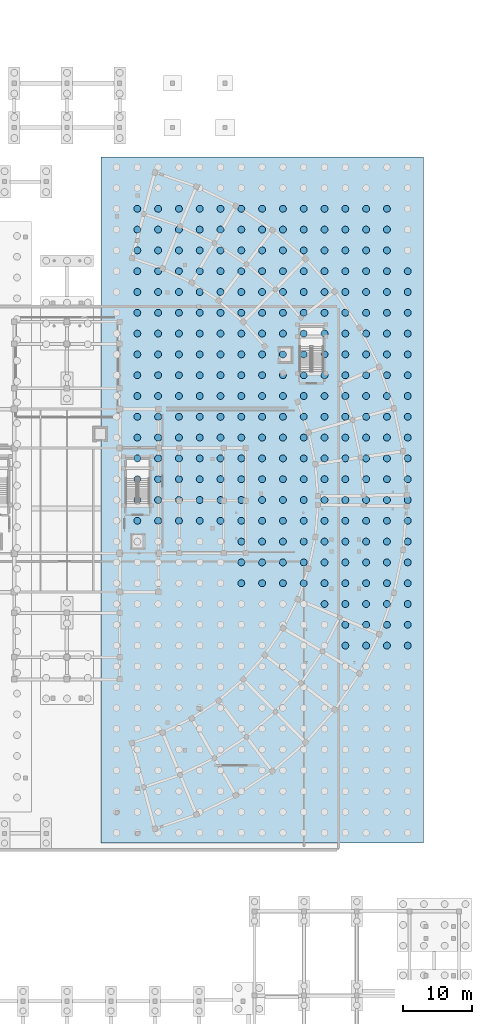
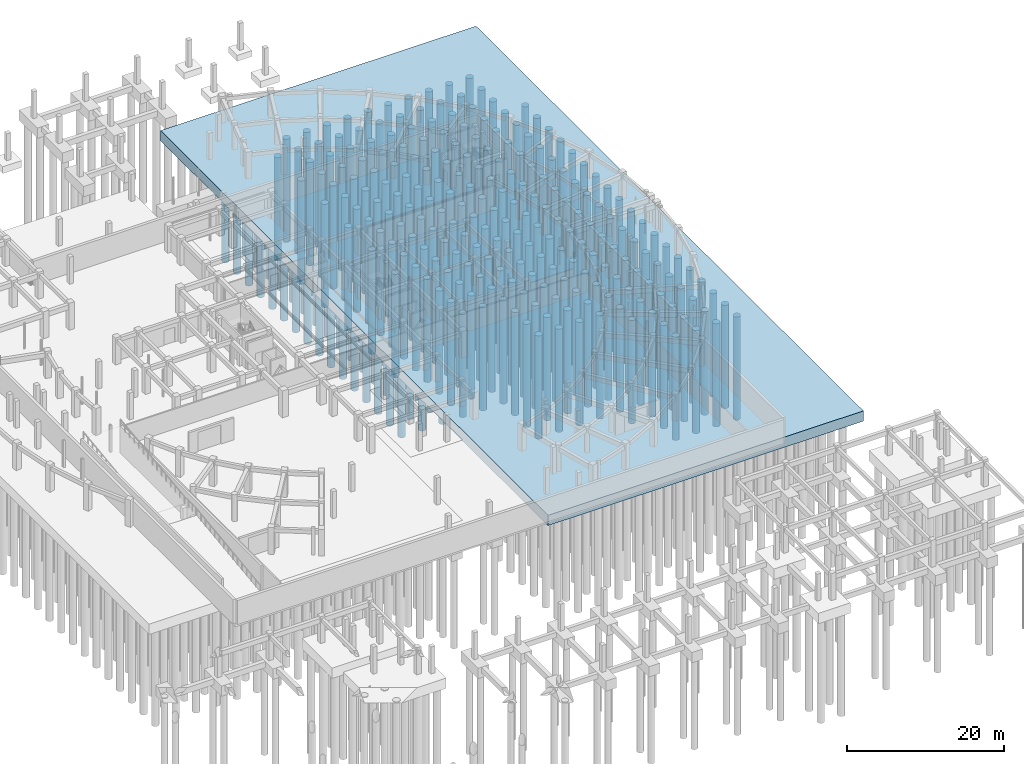
# One storey, part 5 of 33: 261 piles, 1 footing.
"""IFC4 building model written with IfcOpenShell, lengths in metres."""

from ifc_helpers import new_model, si_unit, direction, frame, origin, origin_2d, place, context, subcontext, project, spatial, rectangle, circle, extrude, material, material_profile, profile_set, type_object, element, save


model = new_model("IFC4")

# Units and contexts
model_context = context("Model", 3, precision=1e-05, world=origin(), true_north=direction((0.0, 1.0)))
body_context = subcontext(model_context, "Body", "Model", "MODEL_VIEW")
ifc_project = project(units=[si_unit("LENGTHUNIT", "METRE"), si_unit("AREAUNIT", "SQUARE_METRE"), si_unit("VOLUMEUNIT", "CUBIC_METRE"), si_unit("PLANEANGLEUNIT", "RADIAN"), si_unit("MASSUNIT", "GRAM", prefix="KILO")], contexts=[model_context])

# Site, building, storey
site_placement = place(None, origin())
site = spatial("IfcSite", under=ifc_project, at=site_placement, CompositionType="ELEMENT")
building_placement = place(site_placement, origin())
building = spatial("IfcBuilding", under=site, at=building_placement, Name="Saryqyr Civic Hall", CompositionType="ELEMENT")
storey_placement = place(building_placement, frame((0.0, 0.0, -4.199951171875)))
storey = spatial("IfcBuildingStorey", under=building, at=storey_placement, Name="B1", CompositionType="ELEMENT", Elevation=-4.199951171875)

# Footing
ifc_material = material(Name="Concrete C35/45", Category="concrete")
footing_type = type_object("IfcFootingType", Name="STR-PCAP-46500x98900x1600", PredefinedType="PILE_CAP", material=ifc_material)
footing_placement = place(storey_placement, frame((85.14404296875, 84.0849609375, -1.60009765625), z_axis=(0.0, 0.0, 1.0), x_axis=(1.0, 0.0, 0.0)))
element("IfcFooting", 1, at=footing_placement, inside=storey, type_object=footing_type, Name="Reinforced concrete pile cap FND-PCAP-043", PredefinedType="PILE_CAP", context=body_context, shape_type="SweptSolid", body=[
    extrude(rectangle(XDim=46.5, YDim=98.89990234375, at=origin_2d()), origin(), (0.0, 0.0, 1.0), 1.60009765625),
])

# Piles
ifc_material_profile = material_profile(ifc_material, circle(Radius=0.5, at=origin_2d()), Name="BORED PILE D1000")
ifc_profile_set = profile_set([ifc_material_profile], Name="Concrete C35/45")
pile_type = type_object("IfcPileType", Name="STR-PILE-D1000", PredefinedType="BORED", material=ifc_profile_set)
for number, where, z_axis, x_axis, name in (
    (2, (67.14404296875, 81.0849609375, -1.5), (0.0, 0.0, -1.0), (1.0, 0.0, 0.0), "Bored pile FND-PCAP-043-P49"),
    (3, (67.14404296875, 84.0849609375, -1.5), (0.0, 0.0, -1.0), (1.0, 0.0, 0.0), "Bored pile FND-PCAP-043-P50"),
    (4, (67.14404296875, 87.0849609375, -1.5), (0.0, 0.0, -1.0), (1.0, 0.0, 0.0), "Bored pile FND-PCAP-043-P51"),
    (5, (67.14404296875, 90.0849609375, -1.5), (0.0, 0.0, -1.0), (1.0, 0.0, 0.0), "Bored pile FND-PCAP-043-P52"),
    (6, (67.14404296875, 93.0849609375, -1.5), (0.0, 0.0, -1.0), (1.0, 0.0, 0.0), "Bored pile FND-PCAP-043-P53"),
    (7, (67.14404296875, 96.0849609375, -1.5), (0.0, 0.0, -1.0), (1.0, 0.0, 0.0), "Bored pile FND-PCAP-043-P54"),
    (8, (67.14404296875, 99.0849609375, -1.5), (0.0, 0.0, -1.0), (1.0, 0.0, 0.0), "Bored pile FND-PCAP-043-P55"),
    (9, (67.14404296875, 102.0849609375, -1.5), (0.0, 0.0, -1.0), (1.0, 0.0, 0.0), "Bored pile FND-PCAP-043-P56"),
    (10, (67.14404296875, 105.0849609375, -1.5), (0.0, 0.0, -1.0), (1.0, 0.0, 0.0), "Bored pile FND-PCAP-043-P57"),
    (11, (67.14404296875, 108.0849609375, -1.5), (0.0, 0.0, -1.0), (1.0, 0.0, 0.0), "Bored pile FND-PCAP-043-P58"),
    (12, (67.14404296875, 111.0849609375, -1.5), (0.0, 0.0, -1.0), (1.0, 0.0, 0.0), "Bored pile FND-PCAP-043-P59"),
    (13, (67.14404296875, 114.0849609375, -1.5), (0.0, 0.0, -1.0), (1.0, 0.0, 0.0), "Bored pile FND-PCAP-043-P60"),
    (14, (67.14404296875, 117.0849609375, -1.5), (0.0, 0.0, -1.0), (1.0, 0.0, 0.0), "Bored pile FND-PCAP-043-P61"),
    (15, (67.14404296875, 120.0849609375, -1.5), (0.0, 0.0, -1.0), (1.0, 0.0, 0.0), "Bored pile FND-PCAP-043-P62"),
    (16, (67.14404296875, 123.0849609375, -1.5), (0.0, 0.0, -1.0), (1.0, 0.0, 0.0), "Bored pile FND-PCAP-043-P63"),
    (17, (67.14404296875, 126.0849609375, -1.5), (0.0, 0.0, -1.0), (1.0, 0.0, 0.0), "Bored pile FND-PCAP-043-P64"),
    (18, (70.14404296875, 81.0849609375, -1.5), (0.0, 0.0, -1.0), (1.0, 0.0, 0.0), "Bored pile FND-PCAP-043-P82"),
    (19, (70.14404296875, 84.0849609375, -1.5), (0.0, 0.0, -1.0), (1.0, 0.0, 0.0), "Bored pile FND-PCAP-043-P83"),
    (20, (70.14404296875, 87.0849609375, -1.5), (0.0, 0.0, -1.0), (1.0, 0.0, 0.0), "Bored pile FND-PCAP-043-P84"),
    (21, (70.14404296875, 90.0849609375, -1.5), (0.0, 0.0, -1.0), (1.0, 0.0, 0.0), "Bored pile FND-PCAP-043-P85"),
    (22, (70.14404296875, 93.0849609375, -1.5), (0.0, 0.0, -1.0), (1.0, 0.0, 0.0), "Bored pile FND-PCAP-043-P86"),
    (23, (70.14404296875, 96.0849609375, -1.5), (0.0, 0.0, -1.0), (1.0, 0.0, 0.0), "Bored pile FND-PCAP-043-P87"),
    (24, (70.14404296875, 99.0849609375, -1.5), (0.0, 0.0, -1.0), (1.0, 0.0, 0.0), "Bored pile FND-PCAP-043-P88"),
    (25, (70.14404296875, 102.0849609375, -1.5), (0.0, 0.0, -1.0), (1.0, 0.0, 0.0), "Bored pile FND-PCAP-043-P89"),
    (26, (70.14404296875, 105.0849609375, -1.5), (0.0, 0.0, -1.0), (1.0, 0.0, 0.0), "Bored pile FND-PCAP-043-P90"),
    (27, (70.14404296875, 108.0849609375, -1.5), (0.0, 0.0, -1.0), (1.0, 0.0, 0.0), "Bored pile FND-PCAP-043-P91"),
    (28, (70.14404296875, 111.0849609375, -1.5), (0.0, 0.0, -1.0), (1.0, 0.0, 0.0), "Bored pile FND-PCAP-043-P92"),
    (29, (70.14404296875, 114.0849609375, -1.5), (0.0, 0.0, -1.0), (1.0, 0.0, 0.0), "Bored pile FND-PCAP-043-P93"),
    (30, (70.14404296875, 117.0849609375, -1.5), (0.0, 0.0, -1.0), (1.0, 0.0, 0.0), "Bored pile FND-PCAP-043-P94"),
    (31, (70.14404296875, 120.0849609375, -1.5), (0.0, 0.0, -1.0), (1.0, 0.0, 0.0), "Bored pile FND-PCAP-043-P95"),
    (32, (70.14404296875, 123.0849609375, -1.5), (0.0, 0.0, -1.0), (1.0, 0.0, 0.0), "Bored pile FND-PCAP-043-P96"),
    (33, (70.14404296875, 126.0849609375, -1.5), (0.0, 0.0, -1.0), (1.0, 0.0, 0.0), "Bored pile FND-PCAP-043-P97"),
    (34, (73.14404296875, 81.0849609375, -1.5), (0.0, 0.0, -1.0), (1.0, 0.0, 0.0), "Bored pile FND-PCAP-043-P115"),
    (35, (73.14404296875, 84.0849609375, -1.5), (0.0, 0.0, -1.0), (1.0, 0.0, 0.0), "Bored pile FND-PCAP-043-P116"),
    (36, (73.14404296875, 87.0849609375, -1.5), (0.0, 0.0, -1.0), (1.0, 0.0, 0.0), "Bored pile FND-PCAP-043-P117"),
    (37, (73.14404296875, 90.0849609375, -1.5), (0.0, 0.0, -1.0), (1.0, 0.0, 0.0), "Bored pile FND-PCAP-043-P118"),
    (38, (73.14404296875, 93.0849609375, -1.5), (0.0, 0.0, -1.0), (1.0, 0.0, 0.0), "Bored pile FND-PCAP-043-P119"),
    (39, (73.14404296875, 96.0849609375, -1.5), (0.0, 0.0, -1.0), (1.0, 0.0, 0.0), "Bored pile FND-PCAP-043-P120"),
    (40, (73.14404296875, 99.0849609375, -1.5), (0.0, 0.0, -1.0), (1.0, 0.0, 0.0), "Bored pile FND-PCAP-043-P121"),
    (41, (73.14404296875, 102.0849609375, -1.5), (0.0, 0.0, -1.0), (1.0, 0.0, 0.0), "Bored pile FND-PCAP-043-P122"),
    (42, (73.14404296875, 105.0849609375, -1.5), (0.0, 0.0, -1.0), (1.0, 0.0, 0.0), "Bored pile FND-PCAP-043-P123"),
    (43, (73.14404296875, 108.0849609375, -1.5), (0.0, 0.0, -1.0), (1.0, 0.0, 0.0), "Bored pile FND-PCAP-043-P124"),
    (44, (73.14404296875, 111.0849609375, -1.5), (0.0, 0.0, -1.0), (1.0, 0.0, 0.0), "Bored pile FND-PCAP-043-P125"),
    (45, (73.14404296875, 114.0849609375, -1.5), (0.0, 0.0, -1.0), (1.0, 0.0, 0.0), "Bored pile FND-PCAP-043-P126"),
    (46, (73.14404296875, 117.0849609375, -1.5), (0.0, 0.0, -1.0), (1.0, 0.0, 0.0), "Bored pile FND-PCAP-043-P127"),
    (47, (73.14404296875, 120.0849609375, -1.5), (0.0, 0.0, -1.0), (1.0, 0.0, 0.0), "Bored pile FND-PCAP-043-P128"),
    (48, (73.14404296875, 123.0849609375, -1.5), (0.0, 0.0, -1.0), (1.0, 0.0, 0.0), "Bored pile FND-PCAP-043-P129"),
    (49, (73.14404296875, 126.0849609375, -1.5), (0.0, 0.0, -1.0), (1.0, 0.0, 0.0), "Bored pile FND-PCAP-043-P130"),
    (50, (76.14404296875, 81.0849609375, -1.5), (0.0, 0.0, -1.0), (1.0, 0.0, 0.0), "Bored pile FND-PCAP-043-P148"),
    (51, (76.14404296875, 84.0849609375, -1.5), (0.0, 0.0, -1.0), (1.0, 0.0, 0.0), "Bored pile FND-PCAP-043-P149"),
    (52, (76.14404296875, 87.0849609375, -1.5), (0.0, 0.0, -1.0), (1.0, 0.0, 0.0), "Bored pile FND-PCAP-043-P150"),
    (53, (76.14404296875, 90.0849609375, -1.5), (0.0, 0.0, -1.0), (1.0, 0.0, 0.0), "Bored pile FND-PCAP-043-P151"),
    (54, (76.14404296875, 93.0849609375, -1.5), (0.0, 0.0, -1.0), (1.0, 0.0, 0.0), "Bored pile FND-PCAP-043-P152"),
    (55, (76.14404296875, 96.0849609375, -1.5), (0.0, 0.0, -1.0), (1.0, 0.0, 0.0), "Bored pile FND-PCAP-043-P153"),
    (56, (76.14404296875, 99.0849609375, -1.5), (0.0, 0.0, -1.0), (1.0, 0.0, 0.0), "Bored pile FND-PCAP-043-P154"),
    (57, (76.14404296875, 102.0849609375, -1.5), (0.0, 0.0, -1.0), (1.0, 0.0, 0.0), "Bored pile FND-PCAP-043-P155"),
    (58, (76.14404296875, 105.0849609375, -1.5), (0.0, 0.0, -1.0), (1.0, 0.0, 0.0), "Bored pile FND-PCAP-043-P156"),
    (59, (76.14404296875, 108.0849609375, -1.5), (0.0, 0.0, -1.0), (1.0, 0.0, 0.0), "Bored pile FND-PCAP-043-P157"),
    (60, (76.14404296875, 111.0849609375, -1.5), (0.0, 0.0, -1.0), (1.0, 0.0, 0.0), "Bored pile FND-PCAP-043-P158"),
    (61, (76.14404296875, 114.0849609375, -1.5), (0.0, 0.0, -1.0), (1.0, 0.0, 0.0), "Bored pile FND-PCAP-043-P159"),
    (62, (76.14404296875, 117.0849609375, -1.5), (0.0, 0.0, -1.0), (1.0, 0.0, 0.0), "Bored pile FND-PCAP-043-P160"),
    (63, (76.14404296875, 120.0849609375, -1.5), (0.0, 0.0, -1.0), (1.0, 0.0, 0.0), "Bored pile FND-PCAP-043-P161"),
    (64, (76.14404296875, 123.0849609375, -1.5), (0.0, 0.0, -1.0), (1.0, 0.0, 0.0), "Bored pile FND-PCAP-043-P162"),
    (65, (76.14404296875, 126.0849609375, -1.5), (0.0, 0.0, -1.0), (1.0, 0.0, 0.0), "Bored pile FND-PCAP-043-P163"),
    (66, (79.14404296875, 81.0849609375, -1.5), (0.0, 0.0, -1.0), (1.0, 0.0, 0.0), "Bored pile FND-PCAP-043-P181"),
    (67, (79.14404296875, 84.0849609375, -1.5), (0.0, 0.0, -1.0), (1.0, 0.0, 0.0), "Bored pile FND-PCAP-043-P182"),
    (68, (79.14404296875, 87.0849609375, -1.5), (0.0, 0.0, -1.0), (1.0, 0.0, 0.0), "Bored pile FND-PCAP-043-P183"),
    (69, (79.14404296875, 90.0849609375, -1.5), (0.0, 0.0, -1.0), (1.0, 0.0, 0.0), "Bored pile FND-PCAP-043-P184"),
    (70, (79.14404296875, 93.0849609375, -1.5), (0.0, 0.0, -1.0), (1.0, 0.0, 0.0), "Bored pile FND-PCAP-043-P185"),
    (71, (79.14404296875, 96.0849609375, -1.5), (0.0, 0.0, -1.0), (1.0, 0.0, 0.0), "Bored pile FND-PCAP-043-P186"),
    (72, (79.14404296875, 99.0849609375, -1.5), (0.0, 0.0, -1.0), (1.0, 0.0, 0.0), "Bored pile FND-PCAP-043-P187"),
    (73, (79.14404296875, 102.0849609375, -1.5), (0.0, 0.0, -1.0), (1.0, 0.0, 0.0), "Bored pile FND-PCAP-043-P188"),
    (74, (79.14404296875, 105.0849609375, -1.5), (0.0, 0.0, -1.0), (1.0, 0.0, 0.0), "Bored pile FND-PCAP-043-P189"),
    (75, (79.14404296875, 108.0849609375, -1.5), (0.0, 0.0, -1.0), (1.0, 0.0, 0.0), "Bored pile FND-PCAP-043-P190"),
    (76, (79.14404296875, 111.0849609375, -1.5), (0.0, 0.0, -1.0), (1.0, 0.0, 0.0), "Bored pile FND-PCAP-043-P191"),
    (77, (79.14404296875, 114.0849609375, -1.5), (0.0, 0.0, -1.0), (1.0, 0.0, 0.0), "Bored pile FND-PCAP-043-P192"),
    (78, (79.14404296875, 117.0849609375, -1.5), (0.0, 0.0, -1.0), (1.0, 0.0, 0.0), "Bored pile FND-PCAP-043-P193"),
    (79, (79.14404296875, 120.0849609375, -1.5), (0.0, 0.0, -1.0), (1.0, 0.0, 0.0), "Bored pile FND-PCAP-043-P194"),
    (80, (79.14404296875, 123.0849609375, -1.5), (0.0, 0.0, -1.0), (1.0, 0.0, 0.0), "Bored pile FND-PCAP-043-P195"),
    (81, (79.14404296875, 126.0849609375, -1.5), (0.0, 0.0, -1.0), (1.0, 0.0, 0.0), "Bored pile FND-PCAP-043-P196"),
    (82, (82.14404296875, 72.0849609375, -1.5), (0.0, 0.0, -1.0), (1.0, 0.0, 0.0), "Bored pile FND-PCAP-043-P211"),
    (83, (82.14404296875, 75.0849609375, -1.5), (0.0, 0.0, -1.0), (1.0, 0.0, 0.0), "Bored pile FND-PCAP-043-P212"),
    (84, (82.14404296875, 78.0849609375, -1.5), (0.0, 0.0, -1.0), (1.0, 0.0, 0.0), "Bored pile FND-PCAP-043-P213"),
    (85, (82.14404296875, 81.0849609375, -1.5), (0.0, 0.0, -1.0), (1.0, 0.0, 0.0), "Bored pile FND-PCAP-043-P214"),
    (86, (82.14404296875, 84.0849609375, -1.5), (0.0, 0.0, -1.0), (1.0, 0.0, 0.0), "Bored pile FND-PCAP-043-P215"),
    (87, (82.14404296875, 87.0849609375, -1.5), (0.0, 0.0, -1.0), (1.0, 0.0, 0.0), "Bored pile FND-PCAP-043-P216"),
    (88, (82.14404296875, 90.0849609375, -1.5), (0.0, 0.0, -1.0), (1.0, 0.0, 0.0), "Bored pile FND-PCAP-043-P217"),
    (89, (82.14404296875, 93.0849609375, -1.5), (0.0, 0.0, -1.0), (1.0, 0.0, 0.0), "Bored pile FND-PCAP-043-P218"),
    (90, (82.14404296875, 96.0849609375, -1.5), (0.0, 0.0, -1.0), (1.0, 0.0, 0.0), "Bored pile FND-PCAP-043-P219"),
    (91, (82.14404296875, 99.0849609375, -1.5), (0.0, 0.0, -1.0), (1.0, 0.0, 0.0), "Bored pile FND-PCAP-043-P220"),
    (92, (82.14404296875, 102.0849609375, -1.5), (0.0, 0.0, -1.0), (1.0, 0.0, 0.0), "Bored pile FND-PCAP-043-P221"),
    (93, (82.14404296875, 105.0849609375, -1.5), (0.0, 0.0, -1.0), (1.0, 0.0, 0.0), "Bored pile FND-PCAP-043-P222"),
    (94, (82.14404296875, 108.0849609375, -1.5), (0.0, 0.0, -1.0), (1.0, 0.0, 0.0), "Bored pile FND-PCAP-043-P223"),
    (95, (82.14404296875, 111.0849609375, -1.5), (0.0, 0.0, -1.0), (1.0, 0.0, 0.0), "Bored pile FND-PCAP-043-P224"),
    (96, (82.14404296875, 114.0849609375, -1.5), (0.0, 0.0, -1.0), (1.0, 0.0, 0.0), "Bored pile FND-PCAP-043-P225"),
    (97, (82.14404296875, 117.0849609375, -1.5), (0.0, 0.0, -1.0), (1.0, 0.0, 0.0), "Bored pile FND-PCAP-043-P226"),
    (98, (82.14404296875, 120.0849609375, -1.5), (0.0, 0.0, -1.0), (1.0, 0.0, 0.0), "Bored pile FND-PCAP-043-P227"),
    (99, (82.14404296875, 123.0849609375, -1.5), (0.0, 0.0, -1.0), (1.0, 0.0, 0.0), "Bored pile FND-PCAP-043-P228"),
    (100, (82.14404296875, 126.0849609375, -1.5), (0.0, 0.0, -1.0), (1.0, 0.0, 0.0), "Bored pile FND-PCAP-043-P229"),
    (101, (85.14404296875, 72.0849609375, -1.5), (0.0, 0.0, -1.0), (1.0, 0.0, 0.0), "Bored pile FND-PCAP-043-P244"),
    (102, (85.14404296875, 75.0849609375, -1.5), (0.0, 0.0, -1.0), (1.0, 0.0, 0.0), "Bored pile FND-PCAP-043-P245"),
    (103, (85.14404296875, 78.0849609375, -1.5), (0.0, 0.0, -1.0), (1.0, 0.0, 0.0), "Bored pile FND-PCAP-043-P246"),
    (104, (85.14404296875, 81.0849609375, -1.5), (0.0, 0.0, -1.0), (1.0, 0.0, 0.0), "Bored pile FND-PCAP-043-P247"),
    (105, (85.14404296875, 84.0849609375, -1.5), (0.0, 0.0, -1.0), (1.0, 0.0, 0.0), "Bored pile FND-PCAP-043-P248"),
    (106, (85.14404296875, 87.0849609375, -1.5), (0.0, 0.0, -1.0), (1.0, 0.0, 0.0), "Bored pile FND-PCAP-043-P249"),
    (107, (85.14404296875, 90.0849609375, -1.5), (0.0, 0.0, -1.0), (1.0, 0.0, 0.0), "Bored pile FND-PCAP-043-P250"),
    (108, (85.14404296875, 93.0849609375, -1.5), (0.0, 0.0, -1.0), (1.0, 0.0, 0.0), "Bored pile FND-PCAP-043-P251"),
    (109, (85.14404296875, 96.0849609375, -1.5), (0.0, 0.0, -1.0), (1.0, 0.0, 0.0), "Bored pile FND-PCAP-043-P252"),
    (110, (85.14404296875, 99.0849609375, -1.5), (0.0, 0.0, -1.0), (1.0, 0.0, 0.0), "Bored pile FND-PCAP-043-P253"),
    (111, (85.14404296875, 102.0849609375, -1.5), (0.0, 0.0, -1.0), (1.0, 0.0, 0.0), "Bored pile FND-PCAP-043-P254"),
    (112, (85.14404296875, 105.0849609375, -1.5), (0.0, 0.0, -1.0), (1.0, 0.0, 0.0), "Bored pile FND-PCAP-043-P255"),
    (113, (85.14404296875, 108.0849609375, -1.5), (0.0, 0.0, -1.0), (1.0, 0.0, 0.0), "Bored pile FND-PCAP-043-P256"),
    (114, (85.14404296875, 111.0849609375, -1.5), (0.0, 0.0, -1.0), (1.0, 0.0, 0.0), "Bored pile FND-PCAP-043-P257"),
    (115, (85.14404296875, 114.0849609375, -1.5), (0.0, 0.0, -1.0), (1.0, 0.0, 0.0), "Bored pile FND-PCAP-043-P258"),
    (116, (85.14404296875, 117.0849609375, -1.5), (0.0, 0.0, -1.0), (1.0, 0.0, 0.0), "Bored pile FND-PCAP-043-P259"),
    (117, (85.14404296875, 120.0849609375, -1.5), (0.0, 0.0, -1.0), (1.0, 0.0, 0.0), "Bored pile FND-PCAP-043-P260"),
    (118, (85.14404296875, 123.0849609375, -1.5), (0.0, 0.0, -1.0), (1.0, 0.0, 0.0), "Bored pile FND-PCAP-043-P261"),
    (119, (85.14404296875, 126.0849609375, -1.5), (0.0, 0.0, -1.0), (1.0, 0.0, 0.0), "Bored pile FND-PCAP-043-P262"),
    (120, (88.14404296875, 72.0849609375, -1.5), (0.0, 0.0, -1.0), (1.0, 0.0, 0.0), "Bored pile FND-PCAP-043-P277"),
    (121, (88.14404296875, 75.0849609375, -1.5), (0.0, 0.0, -1.0), (1.0, 0.0, 0.0), "Bored pile FND-PCAP-043-P278"),
    (122, (88.14404296875, 78.0849609375, -1.5), (0.0, 0.0, -1.0), (1.0, 0.0, 0.0), "Bored pile FND-PCAP-043-P279"),
    (123, (88.14404296875, 81.0849609375, -1.5), (0.0, 0.0, -1.0), (1.0, 0.0, 0.0), "Bored pile FND-PCAP-043-P280"),
    (124, (88.14404296875, 84.0849609375, -1.5), (0.0, 0.0, -1.0), (1.0, 0.0, 0.0), "Bored pile FND-PCAP-043-P281"),
    (125, (88.14404296875, 87.0849609375, -1.5), (0.0, 0.0, -1.0), (1.0, 0.0, 0.0), "Bored pile FND-PCAP-043-P282"),
    (126, (88.14404296875, 90.0849609375, -1.5), (0.0, 0.0, -1.0), (1.0, 0.0, 0.0), "Bored pile FND-PCAP-043-P283"),
    (127, (88.14404296875, 93.0849609375, -1.5), (0.0, 0.0, -1.0), (1.0, 0.0, 0.0), "Bored pile FND-PCAP-043-P284"),
    (128, (88.14404296875, 96.0849609375, -1.5), (0.0, 0.0, -1.0), (1.0, 0.0, 0.0), "Bored pile FND-PCAP-043-P285"),
    (129, (88.14404296875, 99.0849609375, -1.5), (0.0, 0.0, -1.0), (1.0, 0.0, 0.0), "Bored pile FND-PCAP-043-P286"),
    (130, (88.14404296875, 102.0849609375, -1.5), (0.0, 0.0, -1.0), (1.0, 0.0, 0.0), "Bored pile FND-PCAP-043-P287"),
    (131, (88.14404296875, 105.0849609375, -1.5), (0.0, 0.0, -1.0), (1.0, 0.0, 0.0), "Bored pile FND-PCAP-043-P288"),
    (132, (88.14404296875, 108.0849609375, -1.5), (0.0, 0.0, -1.0), (1.0, 0.0, 0.0), "Bored pile FND-PCAP-043-P289"),
    (133, (88.14404296875, 111.0849609375, -1.5), (0.0, 0.0, -1.0), (1.0, 0.0, 0.0), "Bored pile FND-PCAP-043-P290"),
    (134, (88.14404296875, 114.0849609375, -1.5), (0.0, 0.0, -1.0), (1.0, 0.0, 0.0), "Bored pile FND-PCAP-043-P291"),
    (135, (88.14404296875, 117.0849609375, -1.5), (0.0, 0.0, -1.0), (1.0, 0.0, 0.0), "Bored pile FND-PCAP-043-P292"),
    (136, (88.14404296875, 120.0849609375, -1.5), (0.0, 0.0, -1.0), (1.0, 0.0, 0.0), "Bored pile FND-PCAP-043-P293"),
    (137, (88.14404296875, 123.0849609375, -1.5), (0.0, 0.0, -1.0), (1.0, 0.0, 0.0), "Bored pile FND-PCAP-043-P294"),
    (138, (88.14404296875, 126.0849609375, -1.5), (0.0, 0.0, -1.0), (1.0, 0.0, 0.0), "Bored pile FND-PCAP-043-P295"),
    (139, (91.14404296875, 72.0849609375, -1.5), (0.0, 0.0, -1.0), (1.0, 0.0, 0.0), "Bored pile FND-PCAP-043-P310"),
    (140, (91.14404296875, 75.0849609375, -1.5), (0.0, 0.0, -1.0), (1.0, 0.0, 0.0), "Bored pile FND-PCAP-043-P311"),
    (141, (91.14404296875, 78.0849609375, -1.5), (0.0, 0.0, -1.0), (1.0, 0.0, 0.0), "Bored pile FND-PCAP-043-P312"),
    (142, (91.14404296875, 81.0849609375, -1.5), (0.0, 0.0, -1.0), (1.0, 0.0, 0.0), "Bored pile FND-PCAP-043-P313"),
    (143, (91.14404296875, 84.0849609375, -1.5), (0.0, 0.0, -1.0), (1.0, 0.0, 0.0), "Bored pile FND-PCAP-043-P314"),
    (144, (91.14404296875, 87.0849609375, -1.5), (0.0, 0.0, -1.0), (1.0, 0.0, 0.0), "Bored pile FND-PCAP-043-P315"),
    (145, (91.14404296875, 90.0849609375, -1.5), (0.0, 0.0, -1.0), (1.0, 0.0, 0.0), "Bored pile FND-PCAP-043-P316"),
    (146, (91.14404296875, 93.0849609375, -1.5), (0.0, 0.0, -1.0), (1.0, 0.0, 0.0), "Bored pile FND-PCAP-043-P317"),
    (147, (91.14404296875, 96.0849609375, -1.5), (0.0, 0.0, -1.0), (1.0, 0.0, 0.0), "Bored pile FND-PCAP-043-P318"),
    (148, (91.14404296875, 99.0849609375, -1.5), (0.0, 0.0, -1.0), (1.0, 0.0, 0.0), "Bored pile FND-PCAP-043-P319"),
    (149, (91.14404296875, 102.0849609375, -1.5), (0.0, 0.0, -1.0), (1.0, 0.0, 0.0), "Bored pile FND-PCAP-043-P320"),
    (150, (91.14404296875, 105.0849609375, -1.5), (0.0, 0.0, -1.0), (1.0, 0.0, 0.0), "Bored pile FND-PCAP-043-P321"),
    (151, (91.14404296875, 108.0849609375, -1.5), (0.0, 0.0, -1.0), (1.0, 0.0, 0.0), "Bored pile FND-PCAP-043-P322"),
    (152, (91.14404296875, 111.0849609375, -1.5), (0.0, 0.0, -1.0), (1.0, 0.0, 0.0), "Bored pile FND-PCAP-043-P323"),
    (153, (91.14404296875, 114.0849609375, -1.5), (0.0, 0.0, -1.0), (1.0, 0.0, 0.0), "Bored pile FND-PCAP-043-P324"),
    (154, (91.14404296875, 117.0849609375, -1.5), (0.0, 0.0, -1.0), (1.0, 0.0, 0.0), "Bored pile FND-PCAP-043-P325"),
    (155, (91.14404296875, 120.0849609375, -1.5), (0.0, 0.0, -1.0), (1.0, 0.0, 0.0), "Bored pile FND-PCAP-043-P326"),
    (156, (91.14404296875, 123.0849609375, -1.5), (0.0, 0.0, -1.0), (1.0, 0.0, 0.0), "Bored pile FND-PCAP-043-P327"),
    (157, (91.14404296875, 126.0849609375, -1.5), (0.0, 0.0, -1.0), (1.0, 0.0, 0.0), "Bored pile FND-PCAP-043-P328"),
    (158, (94.14404296875, 69.0849609375, -1.5), (0.0, 0.0, -1.0), (1.0, 0.0, 0.0), "Bored pile FND-PCAP-043-P342"),
    (159, (94.14404296875, 72.0849609375, -1.5), (0.0, 0.0, -1.0), (1.0, 0.0, 0.0), "Bored pile FND-PCAP-043-P343"),
    (160, (94.14404296875, 75.0849609375, -1.5), (0.0, 0.0, -1.0), (1.0, 0.0, 0.0), "Bored pile FND-PCAP-043-P344"),
    (161, (94.14404296875, 78.0849609375, -1.5), (0.0, 0.0, -1.0), (1.0, 0.0, 0.0), "Bored pile FND-PCAP-043-P345"),
    (162, (94.14404296875, 81.0849609375, -1.5), (0.0, 0.0, -1.0), (1.0, 0.0, 0.0), "Bored pile FND-PCAP-043-P346"),
    (163, (94.14404296875, 84.0849609375, -1.5), (0.0, 0.0, -1.0), (1.0, 0.0, 0.0), "Bored pile FND-PCAP-043-P347"),
    (164, (94.14404296875, 87.0849609375, -1.5), (0.0, 0.0, -1.0), (1.0, 0.0, 0.0), "Bored pile FND-PCAP-043-P348"),
    (165, (94.14404296875, 90.0849609375, -1.5), (0.0, 0.0, -1.0), (1.0, 0.0, 0.0), "Bored pile FND-PCAP-043-P349"),
    (166, (94.14404296875, 93.0849609375, -1.5), (0.0, 0.0, -1.0), (1.0, 0.0, 0.0), "Bored pile FND-PCAP-043-P350"),
    (167, (94.14404296875, 96.0849609375, -1.5), (0.0, 0.0, -1.0), (1.0, 0.0, 0.0), "Bored pile FND-PCAP-043-P351"),
    (168, (94.14404296875, 99.0849609375, -1.5), (0.0, 0.0, -1.0), (1.0, 0.0, 0.0), "Bored pile FND-PCAP-043-P352"),
    (169, (94.14404296875, 102.0849609375, -1.5), (0.0, 0.0, -1.0), (1.0, 0.0, 0.0), "Bored pile FND-PCAP-043-P353"),
    (170, (94.14404296875, 105.0849609375, -1.5), (0.0, 0.0, -1.0), (1.0, 0.0, 0.0), "Bored pile FND-PCAP-043-P354"),
    (171, (94.14404296875, 108.0849609375, -1.5), (0.0, 0.0, -1.0), (1.0, 0.0, 0.0), "Bored pile FND-PCAP-043-P355"),
    (172, (94.14404296875, 111.0849609375, -1.5), (0.0, 0.0, -1.0), (1.0, 0.0, 0.0), "Bored pile FND-PCAP-043-P356"),
    (173, (94.14404296875, 114.0849609375, -1.5), (0.0, 0.0, -1.0), (1.0, 0.0, 0.0), "Bored pile FND-PCAP-043-P357"),
    (174, (94.14404296875, 117.0849609375, -1.5), (0.0, 0.0, -1.0), (1.0, 0.0, 0.0), "Bored pile FND-PCAP-043-P358"),
    (175, (94.14404296875, 120.0849609375, -1.5), (0.0, 0.0, -1.0), (1.0, 0.0, 0.0), "Bored pile FND-PCAP-043-P359"),
    (176, (94.14404296875, 123.0849609375, -1.5), (0.0, 0.0, -1.0), (1.0, 0.0, 0.0), "Bored pile FND-PCAP-043-P360"),
    (177, (94.14404296875, 126.0849609375, -1.5), (0.0, 0.0, -1.0), (1.0, 0.0, 0.0), "Bored pile FND-PCAP-043-P361"),
    (178, (97.14404296875, 63.0849609375, -1.5), (0.0, 0.0, -1.0), (1.0, 0.0, 0.0), "Bored pile FND-PCAP-043-P373"),
    (179, (97.14404296875, 66.0849609375, -1.5), (0.0, 0.0, -1.0), (1.0, 0.0, 0.0), "Bored pile FND-PCAP-043-P374"),
    (180, (97.14404296875, 69.0849609375, -1.5), (0.0, 0.0, -1.0), (1.0, 0.0, 0.0), "Bored pile FND-PCAP-043-P375"),
    (181, (97.14404296875, 72.0849609375, -1.5), (0.0, 0.0, -1.0), (1.0, 0.0, 0.0), "Bored pile FND-PCAP-043-P376"),
    (182, (97.14404296875, 75.0849609375, -1.5), (0.0, 0.0, -1.0), (1.0, 0.0, 0.0), "Bored pile FND-PCAP-043-P377"),
    (183, (97.14404296875, 78.0849609375, -1.5), (0.0, 0.0, -1.0), (1.0, 0.0, 0.0), "Bored pile FND-PCAP-043-P378"),
    (184, (97.14404296875, 81.0849609375, -1.5), (0.0, 0.0, -1.0), (1.0, 0.0, 0.0), "Bored pile FND-PCAP-043-P379"),
    (185, (97.14404296875, 84.0849609375, -1.5), (0.0, 0.0, -1.0), (1.0, 0.0, 0.0), "Bored pile FND-PCAP-043-P380"),
    (186, (97.14404296875, 87.0849609375, -1.5), (0.0, 0.0, -1.0), (1.0, 0.0, 0.0), "Bored pile FND-PCAP-043-P381"),
    (187, (97.14404296875, 90.0849609375, -1.5), (0.0, 0.0, -1.0), (1.0, 0.0, 0.0), "Bored pile FND-PCAP-043-P382"),
    (188, (97.14404296875, 93.0849609375, -1.5), (0.0, 0.0, -1.0), (1.0, 0.0, 0.0), "Bored pile FND-PCAP-043-P383"),
    (189, (97.14404296875, 96.0849609375, -1.5), (0.0, 0.0, -1.0), (1.0, 0.0, 0.0), "Bored pile FND-PCAP-043-P384"),
    (190, (97.14404296875, 99.0849609375, -1.5), (0.0, 0.0, -1.0), (1.0, 0.0, 0.0), "Bored pile FND-PCAP-043-P385"),
    (191, (97.14404296875, 102.0849609375, -1.5), (0.0, 0.0, -1.0), (1.0, 0.0, 0.0), "Bored pile FND-PCAP-043-P386"),
    (192, (97.14404296875, 105.0849609375, -1.5), (0.0, 0.0, -1.0), (1.0, 0.0, 0.0), "Bored pile FND-PCAP-043-P387"),
    (193, (97.14404296875, 108.0849609375, -1.5), (0.0, 0.0, -1.0), (1.0, 0.0, 0.0), "Bored pile FND-PCAP-043-P388"),
    (194, (97.14404296875, 111.0849609375, -1.5), (0.0, 0.0, -1.0), (1.0, 0.0, 0.0), "Bored pile FND-PCAP-043-P389"),
    (195, (97.14404296875, 114.0849609375, -1.5), (0.0, 0.0, -1.0), (1.0, 0.0, 0.0), "Bored pile FND-PCAP-043-P390"),
    (196, (97.14404296875, 117.0849609375, -1.5), (0.0, 0.0, -1.0), (1.0, 0.0, 0.0), "Bored pile FND-PCAP-043-P391"),
    (197, (97.14404296875, 120.0849609375, -1.5), (0.0, 0.0, -1.0), (1.0, 0.0, 0.0), "Bored pile FND-PCAP-043-P392"),
    (198, (97.14404296875, 123.0849609375, -1.5), (0.0, 0.0, -1.0), (1.0, 0.0, 0.0), "Bored pile FND-PCAP-043-P393"),
    (199, (97.14404296875, 126.0849609375, -1.5), (0.0, 0.0, -1.0), (1.0, 0.0, 0.0), "Bored pile FND-PCAP-043-P394"),
    (200, (100.14404296875, 63.0849609375, -1.5), (0.0, 0.0, -1.0), (1.0, 0.0, 0.0), "Bored pile FND-PCAP-043-P406"),
    (201, (100.14404296875, 66.0849609375, -1.5), (0.0, 0.0, -1.0), (1.0, 0.0, 0.0), "Bored pile FND-PCAP-043-P407"),
    (202, (100.14404296875, 69.0849609375, -1.5), (0.0, 0.0, -1.0), (1.0, 0.0, 0.0), "Bored pile FND-PCAP-043-P408"),
    (203, (100.14404296875, 72.0849609375, -1.5), (0.0, 0.0, -1.0), (1.0, 0.0, 0.0), "Bored pile FND-PCAP-043-P409"),
    (204, (100.14404296875, 75.0849609375, -1.5), (0.0, 0.0, -1.0), (1.0, 0.0, 0.0), "Bored pile FND-PCAP-043-P410"),
    (205, (100.14404296875, 78.0849609375, -1.5), (0.0, 0.0, -1.0), (1.0, 0.0, 0.0), "Bored pile FND-PCAP-043-P411"),
    (206, (100.14404296875, 81.0849609375, -1.5), (0.0, 0.0, -1.0), (1.0, 0.0, 0.0), "Bored pile FND-PCAP-043-P412"),
    (207, (100.14404296875, 84.0849609375, -1.5), (0.0, 0.0, -1.0), (1.0, 0.0, 0.0), "Bored pile FND-PCAP-043-P413"),
    (208, (100.14404296875, 87.0849609375, -1.5), (0.0, 0.0, -1.0), (1.0, 0.0, 0.0), "Bored pile FND-PCAP-043-P414"),
    (209, (100.14404296875, 90.0849609375, -1.5), (0.0, 0.0, -1.0), (1.0, 0.0, 0.0), "Bored pile FND-PCAP-043-P415"),
    (210, (100.14404296875, 93.0849609375, -1.5), (0.0, 0.0, -1.0), (1.0, 0.0, 0.0), "Bored pile FND-PCAP-043-P416"),
    (211, (100.14404296875, 96.0849609375, -1.5), (0.0, 0.0, -1.0), (1.0, 0.0, 0.0), "Bored pile FND-PCAP-043-P417"),
    (212, (100.14404296875, 99.0849609375, -1.5), (0.0, 0.0, -1.0), (1.0, 0.0, 0.0), "Bored pile FND-PCAP-043-P418"),
    (213, (100.14404296875, 102.0849609375, -1.5), (0.0, 0.0, -1.0), (1.0, 0.0, 0.0), "Bored pile FND-PCAP-043-P419"),
    (214, (100.14404296875, 105.0849609375, -1.5), (0.0, 0.0, -1.0), (1.0, 0.0, 0.0), "Bored pile FND-PCAP-043-P420"),
    (215, (100.14404296875, 108.0849609375, -1.5), (0.0, 0.0, -1.0), (1.0, 0.0, 0.0), "Bored pile FND-PCAP-043-P421"),
    (216, (100.14404296875, 111.0849609375, -1.5), (0.0, 0.0, -1.0), (1.0, 0.0, 0.0), "Bored pile FND-PCAP-043-P422"),
    (217, (100.14404296875, 114.0849609375, -1.5), (0.0, 0.0, -1.0), (1.0, 0.0, 0.0), "Bored pile FND-PCAP-043-P423"),
    (218, (100.14404296875, 117.0849609375, -1.5), (0.0, 0.0, -1.0), (1.0, 0.0, 0.0), "Bored pile FND-PCAP-043-P424"),
    (219, (100.14404296875, 120.0849609375, -1.5), (0.0, 0.0, -1.0), (1.0, 0.0, 0.0), "Bored pile FND-PCAP-043-P425"),
    (220, (100.14404296875, 123.0849609375, -1.5), (0.0, 0.0, -1.0), (1.0, 0.0, 0.0), "Bored pile FND-PCAP-043-P426"),
    (221, (100.14404296875, 126.0849609375, -1.5), (0.0, 0.0, -1.0), (1.0, 0.0, 0.0), "Bored pile FND-PCAP-043-P427"),
    (222, (103.14404296875, 63.0849609375, -1.5), (0.0, 0.0, -1.0), (1.0, 0.0, 0.0), "Bored pile FND-PCAP-043-P439"),
    (223, (103.14404296875, 66.0849609375, -1.5), (0.0, 0.0, -1.0), (1.0, 0.0, 0.0), "Bored pile FND-PCAP-043-P440"),
    (224, (103.14404296875, 69.0849609375, -1.5), (0.0, 0.0, -1.0), (1.0, 0.0, 0.0), "Bored pile FND-PCAP-043-P441"),
    (225, (103.14404296875, 72.0849609375, -1.5), (0.0, 0.0, -1.0), (1.0, 0.0, 0.0), "Bored pile FND-PCAP-043-P442"),
    (226, (103.14404296875, 75.0849609375, -1.5), (0.0, 0.0, -1.0), (1.0, 0.0, 0.0), "Bored pile FND-PCAP-043-P443"),
    (227, (103.14404296875, 78.0849609375, -1.5), (0.0, 0.0, -1.0), (1.0, 0.0, 0.0), "Bored pile FND-PCAP-043-P444"),
    (228, (103.14404296875, 81.0849609375, -1.5), (0.0, 0.0, -1.0), (1.0, 0.0, 0.0), "Bored pile FND-PCAP-043-P445"),
    (229, (103.14404296875, 84.0849609375, -1.5), (0.0, 0.0, -1.0), (1.0, 0.0, 0.0), "Bored pile FND-PCAP-043-P446"),
    (230, (103.14404296875, 87.0849609375, -1.5), (0.0, 0.0, -1.0), (1.0, 0.0, 0.0), "Bored pile FND-PCAP-043-P447"),
    (231, (103.14404296875, 90.0849609375, -1.5), (0.0, 0.0, -1.0), (1.0, 0.0, 0.0), "Bored pile FND-PCAP-043-P448"),
    (232, (103.14404296875, 93.0849609375, -1.5), (0.0, 0.0, -1.0), (1.0, 0.0, 0.0), "Bored pile FND-PCAP-043-P449"),
    (233, (103.14404296875, 96.0849609375, -1.5), (0.0, 0.0, -1.0), (1.0, 0.0, 0.0), "Bored pile FND-PCAP-043-P450"),
    (234, (103.14404296875, 99.0849609375, -1.5), (0.0, 0.0, -1.0), (1.0, 0.0, 0.0), "Bored pile FND-PCAP-043-P451"),
    (235, (103.14404296875, 102.0849609375, -1.5), (0.0, 0.0, -1.0), (1.0, 0.0, 0.0), "Bored pile FND-PCAP-043-P452"),
    (236, (103.14404296875, 105.0849609375, -1.5), (0.0, 0.0, -1.0), (1.0, 0.0, 0.0), "Bored pile FND-PCAP-043-P453"),
    (237, (103.14404296875, 108.0849609375, -1.5), (0.0, 0.0, -1.0), (1.0, 0.0, 0.0), "Bored pile FND-PCAP-043-P454"),
    (238, (103.14404296875, 111.0849609375, -1.5), (0.0, 0.0, -1.0), (1.0, 0.0, 0.0), "Bored pile FND-PCAP-043-P455"),
    (239, (103.14404296875, 114.0849609375, -1.5), (0.0, 0.0, -1.0), (1.0, 0.0, 0.0), "Bored pile FND-PCAP-043-P456"),
    (240, (103.14404296875, 117.0849609375, -1.5), (0.0, 0.0, -1.0), (1.0, 0.0, 0.0), "Bored pile FND-PCAP-043-P457"),
    (241, (103.14404296875, 120.0849609375, -1.5), (0.0, 0.0, -1.0), (1.0, 0.0, 0.0), "Bored pile FND-PCAP-043-P458"),
    (242, (103.14404296875, 123.0849609375, -1.5), (0.0, 0.0, -1.0), (1.0, 0.0, 0.0), "Bored pile FND-PCAP-043-P459"),
    (243, (103.14404296875, 126.0849609375, -1.5), (0.0, 0.0, -1.0), (1.0, 0.0, 0.0), "Bored pile FND-PCAP-043-P460"),
    (244, (106.14404296875, 63.0849609375, -1.5), (0.0, 0.0, -1.0), (1.0, 0.0, 0.0), "Bored pile FND-PCAP-043-P472"),
    (245, (106.14404296875, 66.0849609375, -1.5), (0.0, 0.0, -1.0), (1.0, 0.0, 0.0), "Bored pile FND-PCAP-043-P473"),
    (246, (106.14404296875, 69.0849609375, -1.5), (0.0, 0.0, -1.0), (1.0, 0.0, 0.0), "Bored pile FND-PCAP-043-P474"),
    (247, (106.14404296875, 72.0849609375, -1.5), (0.0, 0.0, -1.0), (1.0, 0.0, 0.0), "Bored pile FND-PCAP-043-P475"),
    (248, (106.14404296875, 75.0849609375, -1.5), (0.0, 0.0, -1.0), (1.0, 0.0, 0.0), "Bored pile FND-PCAP-043-P476"),
    (249, (106.14404296875, 78.0849609375, -1.5), (0.0, 0.0, -1.0), (1.0, 0.0, 0.0), "Bored pile FND-PCAP-043-P477"),
    (250, (106.14404296875, 81.0849609375, -1.5), (0.0, 0.0, -1.0), (1.0, 0.0, 0.0), "Bored pile FND-PCAP-043-P478"),
    (251, (106.14404296875, 84.0849609375, -1.5), (0.0, 0.0, -1.0), (1.0, 0.0, 0.0), "Bored pile FND-PCAP-043-P479"),
    (252, (106.14404296875, 87.0849609375, -1.5), (0.0, 0.0, -1.0), (1.0, 0.0, 0.0), "Bored pile FND-PCAP-043-P480"),
    (253, (106.14404296875, 90.0849609375, -1.5), (0.0, 0.0, -1.0), (1.0, 0.0, 0.0), "Bored pile FND-PCAP-043-P481"),
    (254, (106.14404296875, 93.0849609375, -1.5), (0.0, 0.0, -1.0), (1.0, 0.0, 0.0), "Bored pile FND-PCAP-043-P482"),
    (255, (106.14404296875, 96.0849609375, -1.5), (0.0, 0.0, -1.0), (1.0, 0.0, 0.0), "Bored pile FND-PCAP-043-P483"),
    (256, (106.14404296875, 99.0849609375, -1.5), (0.0, 0.0, -1.0), (1.0, 0.0, 0.0), "Bored pile FND-PCAP-043-P484"),
    (257, (106.14404296875, 102.0849609375, -1.5), (0.0, 0.0, -1.0), (1.0, 0.0, 0.0), "Bored pile FND-PCAP-043-P485"),
    (258, (106.14404296875, 105.0849609375, -1.5), (0.0, 0.0, -1.0), (1.0, 0.0, 0.0), "Bored pile FND-PCAP-043-P486"),
    (259, (106.14404296875, 108.0849609375, -1.5), (0.0, 0.0, -1.0), (1.0, 0.0, 0.0), "Bored pile FND-PCAP-043-P487"),
    (260, (106.14404296875, 111.0849609375, -1.5), (0.0, 0.0, -1.0), (1.0, 0.0, 0.0), "Bored pile FND-PCAP-043-P488"),
    (261, (106.14404296875, 114.0849609375, -1.5), (0.0, 0.0, -1.0), (1.0, 0.0, 0.0), "Bored pile FND-PCAP-043-P489"),
    (262, (106.14404296875, 117.0849609375, -1.5), (0.0, 0.0, -1.0), (1.0, 0.0, 0.0), "Bored pile FND-PCAP-043-P490"),
):
    element("IfcPile", number, at=place(storey_placement, frame(where, z_axis=z_axis, x_axis=x_axis)), inside=storey, type_object=pile_type, Name=name, PredefinedType="BORED", context=body_context, shape_type="SweptSolid", body=[
        extrude(circle(Radius=0.5, at=origin_2d()), origin(), (0.0, 0.0, 1.0), 16.10009765625),
    ])

save(model, "model.ifc")
